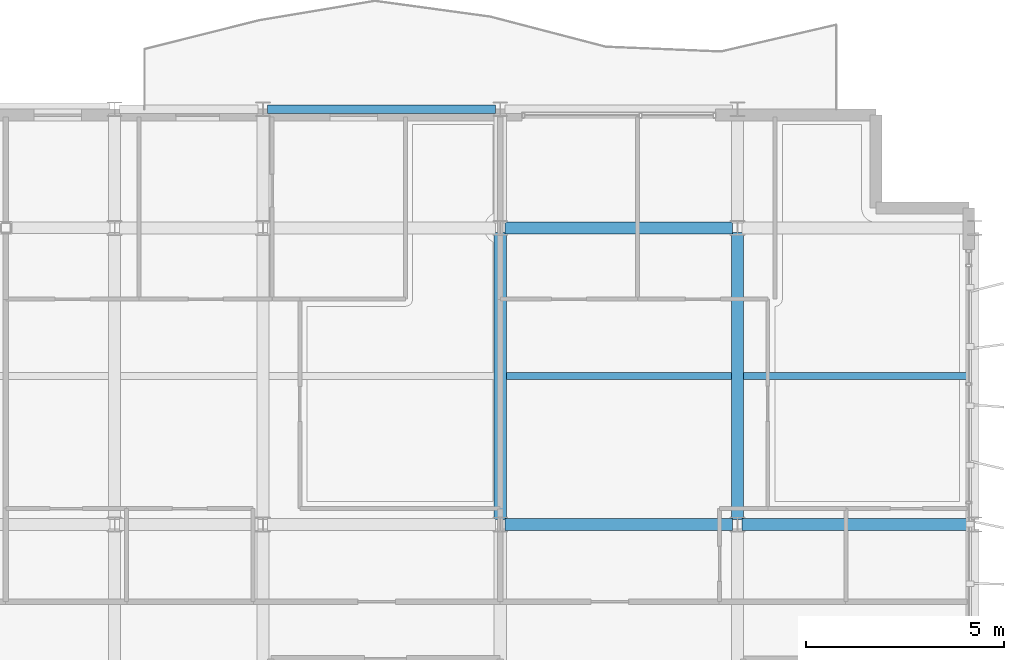
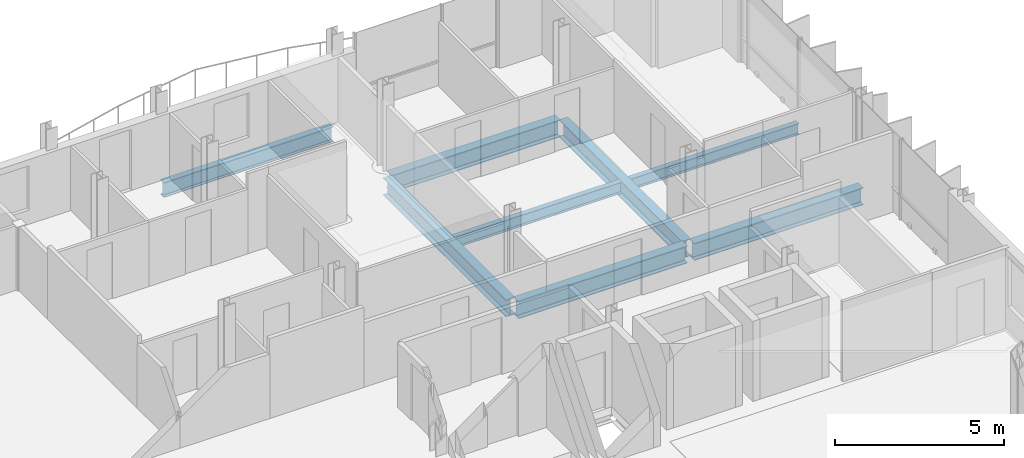
# One storey, part 17 of 35: 8 beams.
"""IFC4 building model written with IfcOpenShell, lengths in metres."""

import ifcopenshell
import ifcopenshell.guid

model = None  # the IFC model being written
_history = None  # IfcOwnerHistory: only IFC2X3 demands one
_inside = {}  # id of a spatial element -> (the spatial element, [elements in it])
_under = {}  # id of a project, library or spatial element -> (it, [spatial elements below it])
_declared = {}  # id of a project -> (the project, [libraries it declares])
_typed = {}  # id of a type object -> (the type object, [elements of that type])
_made_of = {}  # id of a material, layer set ... -> (it, [elements and type objects made of it])


def new_model(schema):
    """Start an empty IFC model of exactly this schema.

    Asked for "IFC4X3", IfcOpenShell would pick the latest addendum, in which some entities
    have other attributes; the version numbers below select the first issue.
    IFC2X3 requires an IfcOwnerHistory on every rooted entity: one is made here for all.
    """
    global model, _history
    if schema == "IFC4X3":
        model = ifcopenshell.file(schema_version=(4, 3, 0, 0))
    else:
        model = ifcopenshell.file(schema=schema)
    _inside.clear()
    _under.clear()
    _declared.clear()
    _typed.clear()
    _made_of.clear()
    _history = None
    if model.schema == "IFC2X3":
        org = make("IfcOrganization", Name="unknown")
        user = make(
            "IfcPersonAndOrganization",
            ThePerson=make("IfcPerson", FamilyName="unknown"),
            TheOrganization=org,
        )
        app = make(
            "IfcApplication",
            ApplicationDeveloper=org,
            Version="unknown",
            ApplicationFullName="unknown",
            ApplicationIdentifier="unknown",
        )
        _history = make(
            "IfcOwnerHistory",
            OwningUser=user,
            OwningApplication=app,
            ChangeAction="ADDED",
            CreationDate=0,
        )
    return model


def make(cls, **values):
    """One entity of the class cls with the attributes given. An attribute that is None is left unset."""
    return model.create_entity(
        cls, **{name: value for name, value in values.items() if value is not None}
    )


def rooted(cls, **values):
    """An entity with a GlobalId (a new one), such as an element, a storey or a relation."""
    return make(cls, GlobalId=ifcopenshell.guid.new(), OwnerHistory=_history, **values)


def si_unit(unit_type, name, prefix=None):
    """IfcSIUnit, for example si_unit("LENGTHUNIT", "METRE", prefix="MILLI")."""
    return make("IfcSIUnit", UnitType=unit_type, Prefix=prefix, Name=name)


def assignment(units):
    """IfcUnitAssignment: the units of a project."""
    return None if units is None else make("IfcUnitAssignment", Units=units)


def point(xyz):
    """IfcCartesianPoint."""
    return None if xyz is None else make("IfcCartesianPoint", Coordinates=xyz)


def direction(xyz):
    """IfcDirection."""
    return None if xyz is None else make("IfcDirection", DirectionRatios=xyz)


def frame(location, z_axis=None, x_axis=None):
    """IfcAxis2Placement3D, a coordinate frame: its origin and axes. An axis left out is left unset."""
    return make(
        "IfcAxis2Placement3D",
        Location=point(location),
        Axis=direction(z_axis),
        RefDirection=direction(x_axis),
    )


def frame_2d(location, x_axis=None):
    """IfcAxis2Placement2D, a coordinate frame in the plane: its origin and x axis."""
    return make(
        "IfcAxis2Placement2D", Location=point(location), RefDirection=direction(x_axis)
    )


def origin():
    """The frame at (0, 0, 0) with its axes left unset."""
    return frame((0.0, 0.0, 0.0))


def origin_2d():
    """The frame at (0, 0) in the plane with its x axis left unset."""
    return frame_2d((0.0, 0.0))


def place(relative_to, where):
    """IfcLocalPlacement: puts the frame where relative to a parent placement (None: the world)."""
    return make(
        "IfcLocalPlacement", PlacementRelTo=relative_to, RelativePlacement=where
    )


def context(
    kind, dimensions, precision=None, world=None, true_north=None, identifier=None
):
    """IfcGeometricRepresentationContext, for example the 3D "Model" context."""
    return make(
        "IfcGeometricRepresentationContext",
        ContextIdentifier=identifier,
        ContextType=kind,
        CoordinateSpaceDimension=dimensions,
        Precision=precision,
        WorldCoordinateSystem=world,
        TrueNorth=true_north,
    )


def subcontext(parent, identifier, kind, view, scale=None):
    """IfcGeometricRepresentationSubContext, for example "Body" below "Model"."""
    return make(
        "IfcGeometricRepresentationSubContext",
        ContextIdentifier=identifier,
        ContextType=kind,
        ParentContext=parent,
        TargetScale=scale,
        TargetView=view,
    )


def project(units=None, contexts=None):
    """IfcProject with its units and contexts."""
    return rooted(
        "IfcProject",
        Name="project",
        RepresentationContexts=contexts,
        UnitsInContext=assignment(units),
    )


def spatial(cls, under=None, at=None, **own):
    """A site, building, storey or space (cls), placed at a placement, below another one or the project."""
    s = rooted(cls, ObjectPlacement=at, **own)
    if under is not None:
        _under.setdefault(under.id(), (under, []))[1].append(s)
    return s


def profile(cls, at=None, kind="AREA", **sizes):
    """A parametric profile (cls). Its sizes go by their IFC names, for example OverallWidth=200.0."""
    return make(cls, ProfileType=kind, Position=at, **sizes)


def i_section(**sizes):
    """IfcIShapeProfileDef."""
    return profile("IfcIShapeProfileDef", **sizes)


def extrude(swept, where, along, depth):
    """IfcExtrudedAreaSolid: the profile swept, set in the frame where, extruded along a direction by depth."""
    return make(
        "IfcExtrudedAreaSolid",
        SweptArea=swept,
        Position=where,
        ExtrudedDirection=direction(along),
        Depth=depth,
    )


def shape(context_of_items, identifier, shape_type, items):
    """IfcShapeRepresentation: the items that make up one representation, for example the "Body"."""
    return make(
        "IfcShapeRepresentation",
        ContextOfItems=context_of_items,
        RepresentationIdentifier=identifier,
        RepresentationType=shape_type,
        Items=items,
    )


def material(Name=None, Category=None):
    """IfcMaterial."""
    return make("IfcMaterial", Name=Name, Category=Category)


def material_profile(
    of_material, cross_section, Name=None, Category=None, Priority=None
):
    """IfcMaterialProfile: a cross section and its material."""
    return make(
        "IfcMaterialProfile",
        Name=Name,
        Material=of_material,
        Profile=cross_section,
        Priority=Priority,
        Category=Category,
    )


def profile_set(profiles, Name=None, composite=None):
    """IfcMaterialProfileSet."""
    return make(
        "IfcMaterialProfileSet",
        Name=Name,
        MaterialProfiles=profiles,
        CompositeProfile=composite,
    )


def made_of(thing, what):
    """Note that an element or type object is made of a material, layer set ...; save() writes the relation."""
    if what is not None:
        _made_of.setdefault(what.id(), (what, []))[1].append(thing)
    return thing


def type_object(cls, material=None, **own):
    """A type object (cls), such as IfcWallType, which elements share."""
    return made_of(rooted(cls, **own), material)


def element(
    cls,
    number,
    at=None,
    inside=None,
    cuts=None,
    type_object=None,
    material=None,
    context=None,
    identifier="Body",
    shape_type=None,
    held_by="IfcProductDefinitionShape",
    body=None,
    shapes=None,
    **own,
):
    """One element of the class cls, such as IfcWall. Its Tag is "e" and its number.

    at: its placement. inside: the storey or other place that contains it. cuts: it is an
    opening in that element (IfcRelVoidsElement). A single representation is given by context,
    identifier, shape_type and body (its items); several are given by shapes. held_by: the class
    of the entity that holds the representations. save() writes the other relations.
    """
    e = rooted(cls, Tag="e%d" % number, ObjectPlacement=at, **own)
    if body is not None:
        shapes = [shape(context, identifier, shape_type, body)]
    if shapes is not None:
        e.Representation = make(held_by, Representations=shapes)
    if inside is not None:
        _inside.setdefault(inside.id(), (inside, []))[1].append(e)
    if cuts is not None:
        rooted(
            "IfcRelVoidsElement", RelatingBuildingElement=cuts, RelatedOpeningElement=e
        )
    if type_object is not None:
        _typed.setdefault(type_object.id(), (type_object, []))[1].append(e)
    return made_of(e, material)


def aggregate(whole, parts):
    """IfcRelAggregates: a whole, such as a stair, and the parts it consists of."""
    return rooted("IfcRelAggregates", RelatingObject=whole, RelatedObjects=parts)


def save(model, path):
    """Write the relations noted so far, then the file.

    IfcRelAggregates (storeys below a building ...), IfcRelContainedInSpatialStructure (elements
    in a storey), IfcRelDefinesByType, IfcRelAssociatesMaterial and IfcRelDeclares: one each for
    every whole, place, type object, material and project.
    """
    for whole, parts in _under.values():
        aggregate(whole, parts)
    for where, things in _inside.values():
        rooted(
            "IfcRelContainedInSpatialStructure",
            RelatedElements=things,
            RelatingStructure=where,
        )
    for kind, things in _typed.values():
        rooted("IfcRelDefinesByType", RelatedObjects=things, RelatingType=kind)
    for what, things in _made_of.values():
        rooted("IfcRelAssociatesMaterial", RelatedObjects=things, RelatingMaterial=what)
    for by, libraries in _declared.values():
        rooted("IfcRelDeclares", RelatingContext=by, RelatedDefinitions=libraries)
    model.write(path)


model = new_model("IFC4")

# Units and contexts
model_context = context("Model", 3, precision=1e-05, world=origin(), true_north=direction((0.0, 1.0)))
body_context = subcontext(model_context, "Body", "Model", "MODEL_VIEW")
ifc_project = project(units=[si_unit("LENGTHUNIT", "METRE"), si_unit("AREAUNIT", "SQUARE_METRE"), si_unit("VOLUMEUNIT", "CUBIC_METRE"), si_unit("PLANEANGLEUNIT", "RADIAN"), si_unit("MASSUNIT", "GRAM", prefix="KILO")], contexts=[model_context])

# Site, building, storey
site_placement = place(None, origin())
site = spatial("IfcSite", under=ifc_project, at=site_placement, CompositionType="ELEMENT")
building_placement = place(site_placement, origin())
building = spatial("IfcBuilding", under=site, at=building_placement, Name="Brevholm Reach", CompositionType="ELEMENT")
storey_placement = place(building_placement, frame((0.0, 0.0, 218.0)))
storey = spatial("IfcBuildingStorey", under=building, at=storey_placement, Name="L66", CompositionType="ELEMENT", Elevation=218.0)

# Beams
ifc_material_1 = material(Name="Structural Steel S355J2", Category="steel")
ifc_material_profile_1 = material_profile(ifc_material_1, i_section(OverallWidth=0.177978515625, OverallDepth=0.406494140625, WebThickness=0.0078125, FlangeThickness=0.0126953125, FilletRadius=0.01025390625, at=origin_2d()), Name="UKB 406x178x60")
ifc_profile_set_1 = profile_set([ifc_material_profile_1], Name="Structural Steel S355J2")
beam_type_1 = type_object("IfcBeamType", Name="BM-B406", PredefinedType="BEAM", material=ifc_profile_set_1)
beam_1_placement = place(storey_placement, frame((48.153564453125, 19.75, -0.47314453125), z_axis=(1.0, 0.0, 0.0), x_axis=(0.0, 1.0, 0.0)))
element("IfcBeam", 1, at=beam_1_placement, inside=storey, type_object=beam_type_1, Name="L66 Composite Secondary Floor Beam", PredefinedType="BEAM", context=body_context, shape_type="SweptSolid", body=[
    extrude(i_section(OverallWidth=0.177978515625, OverallDepth=0.406494140625, WebThickness=0.0078125, FlangeThickness=0.0126953125, FilletRadius=0.01025390625, at=origin_2d()), origin(), (0.0, 0.0, 1.0), 5.69287109375),
])
beam_2_placement = place(storey_placement, frame((54.153564453125, 19.75, -0.47314453125), z_axis=(1.0, 0.0, 0.0), x_axis=(0.0, 1.0, 0.0)))
element("IfcBeam", 2, at=beam_2_placement, inside=storey, type_object=beam_type_1, Name="L66 Composite Secondary Floor Beam", PredefinedType="BEAM", context=body_context, shape_type="SweptSolid", body=[
    extrude(i_section(OverallWidth=0.177978515625, OverallDepth=0.406494140625, WebThickness=0.0078125, FlangeThickness=0.0126953125, FilletRadius=0.01025390625, at=origin_2d()), origin(), (0.0, 0.0, 1.0), 5.740966796875),
])
ifc_material_2 = material(Name="Structural Steel S355J2", Category="steel")
ifc_material_profile_2 = material_profile(ifc_material_2, i_section(OverallWidth=0.210693359375, OverallDepth=0.53955078125, WebThickness=0.01171875, FlangeThickness=0.018798828125, FilletRadius=0.0126953125, at=origin_2d()), Name="UKB 533x210x109")
ifc_profile_set_2 = profile_set([ifc_material_profile_2], Name="Structural Steel S355J2")
beam_type_2 = type_object("IfcBeamType", Name="BM-SP539", PredefinedType="SPANDREL", material=ifc_profile_set_2)
beam_3_placement = place(storey_placement, frame((42.1201171875, 26.5, -0.539794921875), z_axis=(1.0, 0.0, 0.0), x_axis=(0.0, 1.0, 0.0)))
element("IfcBeam", 3, at=beam_3_placement, inside=storey, type_object=beam_type_2, Name="L66 SP-01B Framing Beam", PredefinedType="SPANDREL", context=body_context, shape_type="SweptSolid", body=[
    extrude(i_section(OverallWidth=0.210693359375, OverallDepth=0.53955078125, WebThickness=0.01171875, FlangeThickness=0.018798828125, FilletRadius=0.0126953125, at=origin_2d()), origin(), (0.0, 0.0, 1.0), 5.759765625),
])
ifc_material_3 = material(Name="Structural Steel S355J2", Category="steel")
ifc_material_profile_3 = material_profile(ifc_material_3, i_section(OverallWidth=0.30712890625, OverallDepth=0.6201171875, WebThickness=0.01416015625, FlangeThickness=0.023681640625, FilletRadius=0.0166015625, at=origin_2d()), Name="UKB 610x305x179")
ifc_profile_set_3 = profile_set([ifc_material_profile_3], Name="Structural Steel S355J2")
beam_type_3 = type_object("IfcBeamType", Name="BM-UKB610H", PredefinedType="USERDEFINED", material=ifc_profile_set_3)
for number, where, z_axis, x_axis, name in (
    (4, (48.1201171875, 16.0, -0.580078125), (1.0, 0.0, 0.0), (0.0, 1.0, 0.0), "L66 G-06 Framing Beam"),
    (5, (54.1201171875, 16.0, -0.580078125), (1.0, 0.0, 0.0), (0.0, 1.0, 0.0), "L66 G-06 Framing Beam"),
    (6, (48.1201171875, 23.5, -0.580078125), (1.0, 0.0, 0.0), (0.0, 1.0, 0.0), "L66 G-06 Framing Beam"),
):
    element("IfcBeam", number, at=place(storey_placement, frame(where, z_axis=z_axis, x_axis=x_axis)), inside=storey, type_object=beam_type_3, Name=name, ObjectType="GIRDER", PredefinedType="USERDEFINED", context=body_context, shape_type="SweptSolid", body=[
        extrude(i_section(OverallWidth=0.30712890625, OverallDepth=0.6201171875, WebThickness=0.01416015625, FlangeThickness=0.023681640625, FilletRadius=0.0166015625, at=origin_2d()), origin(), (0.0, 0.0, 1.0), 5.759765625),
    ])
for number, where, z_axis, x_axis, name in (
    (7, (48.0, 16.1201171875, -0.580078125), (0.0, 1.0, 0.0), (-1.0, 0.0, 0.0), "L66 G-06 Framing Beam"),
    (8, (54.0, 16.1201171875, -0.580078125), (0.0, 1.0, 0.0), (-1.0, 0.0, 0.0), "L66 G-06 Framing Beam"),
):
    element("IfcBeam", number, at=place(storey_placement, frame(where, z_axis=z_axis, x_axis=x_axis)), inside=storey, type_object=beam_type_3, Name=name, ObjectType="GIRDER", PredefinedType="USERDEFINED", context=body_context, shape_type="SweptSolid", body=[
        extrude(i_section(OverallWidth=0.30712890625, OverallDepth=0.6201171875, WebThickness=0.01416015625, FlangeThickness=0.023681640625, FilletRadius=0.0166015625, at=origin_2d()), origin(), (0.0, 0.0, 1.0), 7.259765625),
    ])

save(model, "model.ifc")
